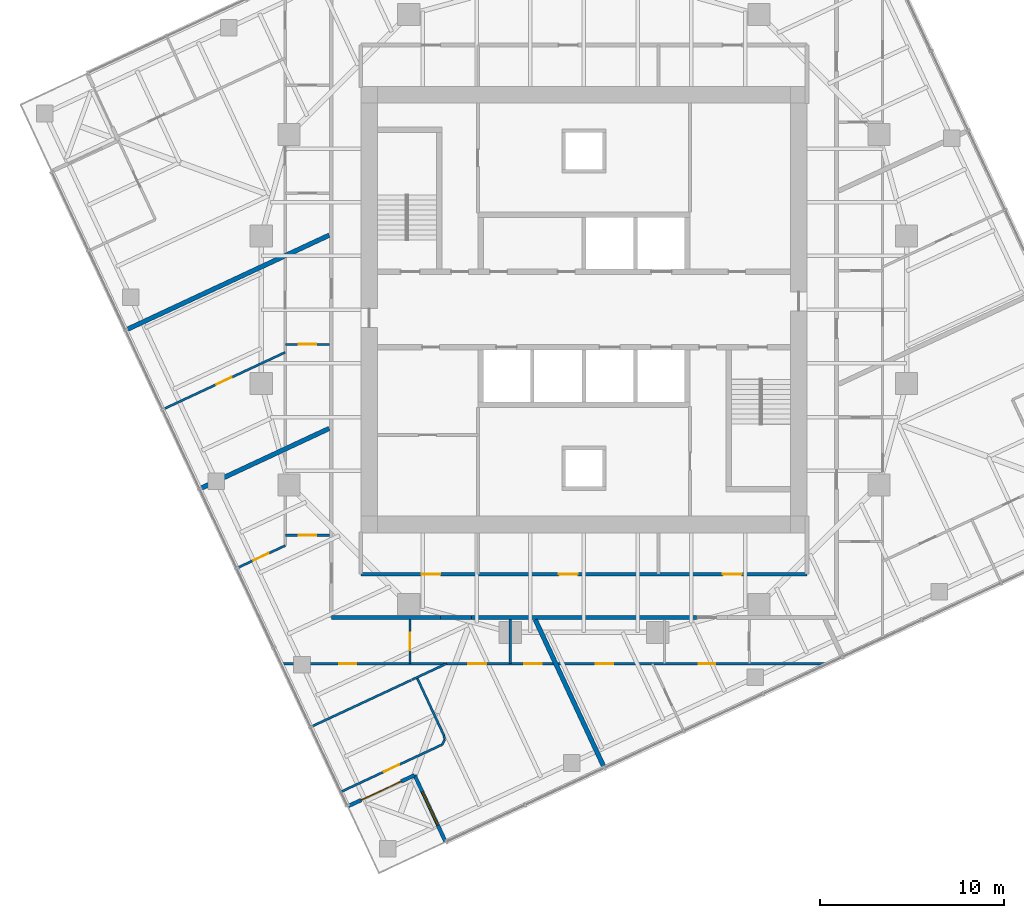
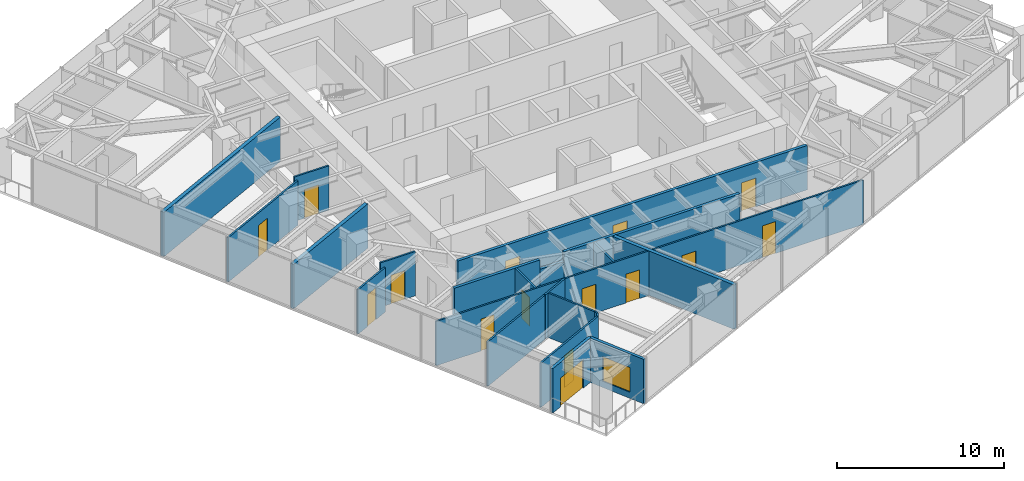
# One storey, part 7 of 12: 22 walls, 15 doors, 1 window, 16 openings.
"""IFC4 building model written with IfcOpenShell, lengths in metres."""

from ifc_helpers import new_model, si_unit, direction, frame, frame_2d, origin, place, context, subcontext, project, spatial, rectangle, extrude, material, layer, layer_set, type_object, element, fill, save


model = new_model("IFC4")

# Units and contexts
model_context = context("Model", 3, precision=1e-05, world=origin(), true_north=direction((0.0, 1.0)))
body_context = subcontext(model_context, "Body", "Model", "MODEL_VIEW")
ifc_project = project(units=[si_unit("LENGTHUNIT", "METRE"), si_unit("AREAUNIT", "SQUARE_METRE"), si_unit("VOLUMEUNIT", "CUBIC_METRE"), si_unit("PLANEANGLEUNIT", "RADIAN"), si_unit("MASSUNIT", "GRAM", prefix="KILO")], contexts=[model_context])

# Site, building, storey
site_placement = place(None, origin())
site = spatial("IfcSite", under=ifc_project, at=site_placement, CompositionType="ELEMENT")
building_placement = place(site_placement, origin())
building = spatial("IfcBuilding", under=site, at=building_placement, Name="Torsade Residences", CompositionType="ELEMENT")
storey_placement = place(building_placement, frame((0.0, 0.0, 189.60009765625)))
storey = spatial("IfcBuildingStorey", under=building, at=storey_placement, Name="L52", CompositionType="ELEMENT", Elevation=189.60009765625)

# Walls
ifc_material_1 = material(Name="Plasterboard on steel stud", Category="steel")
ifc_layer_1 = layer(ifc_material_1, 0.199951171875)
ifc_layer_set_1 = layer_set([ifc_layer_1], Name="Plasterboard on steel stud")
wall_type_1 = type_object("IfcWallType", Name="CORRIDOR WALL 200", PredefinedType="PARTITIONING", material=ifc_layer_set_1)
wall_1_placement = place(storey_placement, frame((26.300048828125, 13.300048828125, 0.0), z_axis=(0.0, 0.0, 1.0), x_axis=(1.0, 0.0, 0.0)))
element("IfcWall", 1, at=wall_1_placement, inside=storey, type_object=wall_type_1, Name="Corridor wall L52", PredefinedType="PARTITIONING", context=body_context, shape_type="SweptSolid", body=[
    extrude(rectangle(XDim=5.9248046875, YDim=0.199951171875, at=frame_2d((2.96240234375, 0.0))), origin(), (0.0, 0.0, 1.0), 3.25),
])
wall_2_placement = place(storey_placement, frame((32.224853515625, 13.300048828125, 0.0), z_axis=(0.0, 0.0, 1.0), x_axis=(1.0, 0.0, 0.0)))
element("IfcWall", 2, at=wall_2_placement, inside=storey, type_object=wall_type_1, Name="Corridor wall L52", PredefinedType="PARTITIONING", context=body_context, shape_type="SweptSolid", body=[
    extrude(rectangle(XDim=1.68359375, YDim=0.199951171875, at=frame_2d((0.841796875, 0.0))), origin(), (0.0, 0.0, 1.0), 2.5498046875),
])
wall_3_placement = place(storey_placement, frame((33.908447265625, 13.300048828125, 0.0), z_axis=(0.0, 0.0, 1.0), x_axis=(1.0, 0.0, 0.0)))
element("IfcWall", 3, at=wall_3_placement, inside=storey, type_object=wall_type_1, Name="Corridor wall L52", PredefinedType="PARTITIONING", context=body_context, shape_type="SweptSolid", body=[
    extrude(rectangle(XDim=12.18310546875, YDim=0.199951171875, at=frame_2d((6.091552734375, 0.0))), origin(), (0.0, 0.0, 1.0), 3.25),
])

# Wall, openings, doors
wall_4_placement = place(storey_placement, frame((27.89990234375, 15.64990234375, 0.0), z_axis=(0.0, 0.0, 1.0), x_axis=(1.0, 0.0, 0.0)))
wall_4 = element("IfcWall", 4, at=wall_4_placement, inside=storey, type_object=wall_type_1, Name="Corridor wall L52", PredefinedType="PARTITIONING", context=body_context, shape_type="SweptSolid", body=[
    extrude(rectangle(XDim=24.2001953125, YDim=0.199951171875, at=frame_2d((12.10009765625, 0.0))), origin(), (0.0, 0.0, 1.0), 3.25),
])
opening_1_placement = place(wall_4_placement, frame((10.742919921875, 0.0, 0.0)))
opening_1 = element("IfcOpeningElement", 5, at=opening_1_placement, cuts=wall_4, Name="Opening D03", PredefinedType="OPENING", context=body_context, shape_type="SweptSolid", body=[
    extrude(rectangle(XDim=1.02001953125, YDim=2.10009765625, at=frame_2d((0.510009765625, 1.050048828125))), frame((0.0, 0.10986328125, 0.0), z_axis=(0.0, -1.0, 0.0), x_axis=(1.0, 0.0, 0.0)), (0.0, 0.0, 1.0), 0.219970703125),
])
opening_2_placement = place(wall_4_placement, frame((19.6357421875, 0.0, 0.0)))
opening_2 = element("IfcOpeningElement", 6, at=opening_2_placement, cuts=wall_4, Name="Opening D03", PredefinedType="OPENING", context=body_context, shape_type="SweptSolid", body=[
    extrude(rectangle(XDim=1.02001953125, YDim=2.10009765625, at=frame_2d((0.510009765625, 1.050048828125))), frame((0.0, 0.10986328125, 0.0), z_axis=(0.0, -1.0, 0.0), x_axis=(1.0, 0.0, 0.0)), (0.0, 0.0, 1.0), 0.219970703125),
])
opening_3_placement = place(wall_4_placement, frame((3.29736328125, 0.0, 0.0)))
opening_3 = element("IfcOpeningElement", 7, at=opening_3_placement, cuts=wall_4, Name="Opening D03", PredefinedType="OPENING", context=body_context, shape_type="SweptSolid", body=[
    extrude(rectangle(XDim=1.02001953125, YDim=2.10009765625, at=frame_2d((0.510009765625, 1.050048828125))), frame((0.0, 0.10986328125, 0.0), z_axis=(0.0, -1.0, 0.0), x_axis=(1.0, 0.0, 0.0)), (0.0, 0.0, 1.0), 0.219970703125),
])
ifc_material_2 = material(Name="Steel-framed fire door", Category="steel")
door_type_1 = type_object("IfcDoorType", Name="FIRE DOOR 1020", OperationType="NOTDEFINED", PredefinedType="DOOR", material=ifc_material_2)
door_1_placement = place(opening_1_placement, origin())
door_1 = element("IfcDoor", 8, at=door_1_placement, inside=storey, type_object=door_type_1, Name="Door Residential corridor to Residents storage", OperationType="SINGLE_SWING_RIGHT", OverallHeight=2.10009765625, OverallWidth=1.02001953125, PredefinedType="DOOR", context=body_context, shape_type="SweptSolid", body=[
    extrude(rectangle(XDim=1.02001953125, YDim=2.10009765625, at=frame_2d((0.510009765625, 1.050048828125))), frame((0.0, 0.02490234375, 0.0), z_axis=(0.0, -1.0, 0.0), x_axis=(1.0, 0.0, 0.0)), (0.0, 0.0, 1.0), 0.050048828125),
])
fill(opening_1, door_1)
door_2_placement = place(opening_2_placement, origin())
door_2 = element("IfcDoor", 9, at=door_2_placement, inside=storey, type_object=door_type_1, Name="Door Residential corridor to Parcel room", OperationType="SINGLE_SWING_RIGHT", OverallHeight=2.10009765625, OverallWidth=1.02001953125, PredefinedType="DOOR", context=body_context, shape_type="SweptSolid", body=[
    extrude(rectangle(XDim=1.02001953125, YDim=2.10009765625, at=frame_2d((0.510009765625, 1.050048828125))), frame((0.0, 0.02490234375, 0.0), z_axis=(0.0, -1.0, 0.0), x_axis=(1.0, 0.0, 0.0)), (0.0, 0.0, 1.0), 0.050048828125),
])
fill(opening_2, door_2)
door_3_placement = place(opening_3_placement, origin())
door_3 = element("IfcDoor", 10, at=door_3_placement, inside=storey, type_object=door_type_1, Name="Door Residential corridor to Bulk store", OperationType="SINGLE_SWING_RIGHT", OverallHeight=2.10009765625, OverallWidth=1.02001953125, PredefinedType="DOOR", context=body_context, shape_type="SweptSolid", body=[
    extrude(rectangle(XDim=1.02001953125, YDim=2.10009765625, at=frame_2d((0.510009765625, 1.050048828125))), frame((0.0, 0.02490234375, 0.0), z_axis=(0.0, -1.0, 0.0), x_axis=(1.0, 0.0, 0.0)), (0.0, 0.0, 1.0), 0.050048828125),
])
fill(opening_3, door_3)

# Wall, opening, door
ifc_material_3 = material(Name="Plasterboard on steel stud", Category="steel")
ifc_layer_2 = layer(ifc_material_3, 0.1201171875)
ifc_layer_set_2 = layer_set([ifc_layer_2], Name="Plasterboard on steel stud")
wall_type_2 = type_object("IfcWallType", Name="PARTITION 120", PredefinedType="PARTITIONING", material=ifc_layer_set_2)
wall_5_placement = place(storey_placement, frame((26.199951171875, 28.1162109375, 0.0), z_axis=(0.0, 0.0, 1.0), x_axis=(-1.0, 0.0, 0.0)))
wall_5 = element("IfcWall", 11, at=wall_5_placement, inside=storey, type_object=wall_type_2, Name="Partition L52", PredefinedType="PARTITIONING", context=body_context, shape_type="SweptSolid", body=[
    extrude(rectangle(XDim=2.39990234375, YDim=0.1201171875, at=frame_2d((1.199951171875, 0.0))), origin(), (0.0, 0.0, 1.0), 3.25),
])
opening_4_placement = place(wall_5_placement, frame((0.719970703125, 0.0, 0.0)))
opening_4 = element("IfcOpeningElement", 12, at=opening_4_placement, cuts=wall_5, Name="Opening D05", PredefinedType="OPENING", context=body_context, shape_type="SweptSolid", body=[
    extrude(rectangle(XDim=0.9599609375, YDim=2.10009765625, at=frame_2d((0.47998046875, 1.050048828125))), frame((0.0, 0.070068359375, 0.0), z_axis=(0.0, -1.0, 0.0), x_axis=(1.0, 0.0, 0.0)), (0.0, 0.0, 1.0), 0.14013671875),
])
ifc_material_4 = material(Name="Hollow-core timber door in a steel cavity frame", Category="steel")
door_type_2 = type_object("IfcDoorType", Name="BATHROOM CAVITY SLIDING DOOR 960", OperationType="SLIDING_TO_LEFT", PredefinedType="DOOR", material=ifc_material_4)
door_4_placement = place(opening_4_placement, origin())
door_4 = element("IfcDoor", 13, at=door_4_placement, inside=storey, type_object=door_type_2, Name="Door Kitchen and dining to Bathroom", OperationType="SLIDING_TO_LEFT", OverallHeight=2.10009765625, OverallWidth=0.9599609375, PredefinedType="DOOR", context=body_context, shape_type="SweptSolid", body=[
    extrude(rectangle(XDim=0.9599609375, YDim=2.10009765625, at=frame_2d((0.47998046875, 1.050048828125))), frame((0.0, 0.02490234375, 0.0), z_axis=(0.0, -1.0, 0.0), x_axis=(1.0, 0.0, 0.0)), (0.0, 0.0, 1.0), 0.050048828125),
])
fill(opening_4, door_4)

wall_6_placement = place(storey_placement, frame((23.800048828125, 27.686767578125, 0.0), z_axis=(0.0, 0.0, 1.0), x_axis=(-0.906306986906, -0.422619977621, 0.0)))
wall_6 = element("IfcWall", 14, at=wall_6_placement, inside=storey, type_object=wall_type_2, Name="Partition L52", PredefinedType="PARTITIONING", context=body_context, shape_type="SweptSolid", body=[
    extrude(rectangle(XDim=7.30029296875, YDim=0.1201171875, at=frame_2d((3.650146484375, 0.0))), origin(), (0.0, 0.0, 1.0), 3.25),
])
opening_5_placement = place(wall_6_placement, frame((3.210205078125, 0.0, 0.0)))
opening_5 = element("IfcOpeningElement", 15, at=opening_5_placement, cuts=wall_6, Name="Opening D02", PredefinedType="OPENING", context=body_context, shape_type="SweptSolid", body=[
    extrude(rectangle(XDim=0.919921875, YDim=2.340087890625, at=frame_2d((0.4599609375, 1.169921875))), frame((0.0, 0.070068359375, 0.0), z_axis=(0.0, -1.0, 0.0), x_axis=(1.0, 0.0, 0.0)), (0.0, 0.0, 1.0), 0.14013671875),
])
ifc_material_5 = material(Name="Hollow-core timber door", Category="wood")
door_type_3 = type_object("IfcDoorType", Name="INTERNAL DOOR 920x2340", OperationType="NOTDEFINED", PredefinedType="DOOR", material=ifc_material_5)
door_5_placement = place(opening_5_placement, origin())
door_5 = element("IfcDoor", 16, at=door_5_placement, inside=storey, type_object=door_type_3, Name="Door Living room to Bedroom 1", OperationType="SINGLE_SWING_LEFT", OverallHeight=2.340087890625, OverallWidth=0.919921875, PredefinedType="DOOR", context=body_context, shape_type="SweptSolid", body=[
    extrude(rectangle(XDim=0.919921875, YDim=2.340087890625, at=frame_2d((0.4599609375, 1.169921875))), frame((0.0, 0.02490234375, 0.0), z_axis=(0.0, -1.0, 0.0), x_axis=(1.0, 0.0, 0.0)), (0.0, 0.0, 1.0), 0.050048828125),
])
fill(opening_5, door_5)

wall_7_placement = place(storey_placement, frame((23.800048828125, 17.7646484375, 0.0), z_axis=(0.0, 0.0, 1.0), x_axis=(1.0, 0.0, 0.0)))
wall_7 = element("IfcWall", 17, at=wall_7_placement, inside=storey, type_object=wall_type_2, Name="Partition L52", PredefinedType="PARTITIONING", context=body_context, shape_type="SweptSolid", body=[
    extrude(rectangle(XDim=2.39990234375, YDim=0.1201171875, at=frame_2d((1.199951171875, 0.0))), origin(), (0.0, 0.0, 1.0), 3.25),
])
opening_6_placement = place(wall_7_placement, frame((0.719970703125, 0.0, 0.0)))
opening_6 = element("IfcOpeningElement", 18, at=opening_6_placement, cuts=wall_7, Name="Opening D05", PredefinedType="OPENING", context=body_context, shape_type="SweptSolid", body=[
    extrude(rectangle(XDim=0.9599609375, YDim=2.10009765625, at=frame_2d((0.47998046875, 1.050048828125))), frame((0.0, 0.070068359375, 0.0), z_axis=(0.0, -1.0, 0.0), x_axis=(1.0, 0.0, 0.0)), (0.0, 0.0, 1.0), 0.14013671875),
])
door_6_placement = place(opening_6_placement, origin())
door_6 = element("IfcDoor", 19, at=door_6_placement, inside=storey, type_object=door_type_2, Name="Door Kitchen and dining to Bathroom", OperationType="SLIDING_TO_LEFT", OverallHeight=2.10009765625, OverallWidth=0.9599609375, PredefinedType="DOOR", context=body_context, shape_type="SweptSolid", body=[
    extrude(rectangle(XDim=0.9599609375, YDim=2.10009765625, at=frame_2d((0.47998046875, 1.050048828125))), frame((0.0, 0.02490234375, 0.0), z_axis=(0.0, -1.0, 0.0), x_axis=(1.0, 0.0, 0.0)), (0.0, 0.0, 1.0), 0.050048828125),
])
fill(opening_6, door_6)

wall_8_placement = place(storey_placement, frame((30.564208984375, 13.199951171875, 0.0), z_axis=(0.0, 0.0, 1.0), x_axis=(0.0, -1.0, 0.0)))
wall_8 = element("IfcWall", 20, at=wall_8_placement, inside=storey, type_object=wall_type_2, Name="Partition L52", PredefinedType="PARTITIONING", context=body_context, shape_type="SweptSolid", body=[
    extrude(rectangle(XDim=2.39990234375, YDim=0.1201171875, at=frame_2d((1.199951171875, 0.0))), origin(), (0.0, 0.0, 1.0), 3.25),
])
opening_7_placement = place(wall_8_placement, frame((0.719970703125, 0.0, 0.0)))
opening_7 = element("IfcOpeningElement", 21, at=opening_7_placement, cuts=wall_8, Name="Opening D05", PredefinedType="OPENING", context=body_context, shape_type="SweptSolid", body=[
    extrude(rectangle(XDim=0.9599609375, YDim=2.10009765625, at=frame_2d((0.47998046875, 1.050048828125))), frame((0.0, 0.070068359375, 0.0), z_axis=(0.0, -1.0, 0.0), x_axis=(1.0, 0.0, 0.0)), (0.0, 0.0, 1.0), 0.14013671875),
])
door_7_placement = place(opening_7_placement, origin())
door_7 = element("IfcDoor", 22, at=door_7_placement, inside=storey, type_object=door_type_2, Name="Door Kitchen and dining to Ensuite", OperationType="SLIDING_TO_LEFT", OverallHeight=2.10009765625, OverallWidth=0.9599609375, PredefinedType="DOOR", context=body_context, shape_type="SweptSolid", body=[
    extrude(rectangle(XDim=0.9599609375, YDim=2.10009765625, at=frame_2d((0.47998046875, 1.050048828125))), frame((0.0, 0.02490234375, 0.0), z_axis=(0.0, -1.0, 0.0), x_axis=(1.0, 0.0, 0.0)), (0.0, 0.0, 1.0), 0.050048828125),
])
fill(opening_7, door_7)

# Wall, openings, doors
wall_9_placement = place(storey_placement, frame((53.2080078125, 10.800048828125, 0.0), z_axis=(0.0, 0.0, 1.0), x_axis=(-1.0, 0.0, 0.0)))
wall_9 = element("IfcWall", 23, at=wall_9_placement, inside=storey, type_object=wall_type_2, Name="Partition L52", PredefinedType="PARTITIONING", context=body_context, shape_type="SweptSolid", body=[
    extrude(rectangle(XDim=29.592529296875, YDim=0.1201171875, at=frame_2d((14.79638671875, 0.0))), origin(), (0.0, 0.0, 1.0), 3.25),
])
opening_8_placement = place(wall_9_placement, frame((6.073974609375, 0.0, 0.0)))
opening_8 = element("IfcOpeningElement", 24, at=opening_8_placement, cuts=wall_9, Name="Opening D02", PredefinedType="OPENING", context=body_context, shape_type="SweptSolid", body=[
    extrude(rectangle(XDim=0.919921875, YDim=2.340087890625, at=frame_2d((0.4599609375, 1.169921875))), frame((0.0, 0.070068359375, 0.0), z_axis=(0.0, -1.0, 0.0), x_axis=(1.0, 0.0, 0.0)), (0.0, 0.0, 1.0), 0.14013671875),
])
opening_9_placement = place(wall_9_placement, frame((25.56591796875, 0.0, 0.0)))
opening_9 = element("IfcOpeningElement", 25, at=opening_9_placement, cuts=wall_9, Name="Opening D02", PredefinedType="OPENING", context=body_context, shape_type="SweptSolid", body=[
    extrude(rectangle(XDim=0.919921875, YDim=2.340087890625, at=frame_2d((0.4599609375, 1.169921875))), frame((0.0, 0.070068359375, 0.0), z_axis=(0.0, -1.0, 0.0), x_axis=(1.0, 0.0, 0.0)), (0.0, 0.0, 1.0), 0.14013671875),
])
opening_10_placement = place(wall_9_placement, frame((18.515380859375, 0.0, 0.0)))
opening_10 = element("IfcOpeningElement", 26, at=opening_10_placement, cuts=wall_9, Name="Opening D05", PredefinedType="OPENING", context=body_context, shape_type="SweptSolid", body=[
    extrude(rectangle(XDim=0.9599609375, YDim=2.10009765625, at=frame_2d((0.47998046875, 1.050048828125))), frame((0.0, 0.070068359375, 0.0), z_axis=(0.0, -1.0, 0.0), x_axis=(1.0, 0.0, 0.0)), (0.0, 0.0, 1.0), 0.14013671875),
])
opening_11_placement = place(wall_9_placement, frame((15.49267578125, 0.0, 0.0)))
opening_11 = element("IfcOpeningElement", 27, at=opening_11_placement, cuts=wall_9, Name="Opening D05", PredefinedType="OPENING", context=body_context, shape_type="SweptSolid", body=[
    extrude(rectangle(XDim=0.9599609375, YDim=2.10009765625, at=frame_2d((0.47998046875, 1.050048828125))), frame((0.0, 0.070068359375, 0.0), z_axis=(0.0, -1.0, 0.0), x_axis=(1.0, 0.0, 0.0)), (0.0, 0.0, 1.0), 0.14013671875),
])
opening_12_placement = place(wall_9_placement, frame((11.60888671875, 0.0, 0.0)))
opening_12 = element("IfcOpeningElement", 28, at=opening_12_placement, cuts=wall_9, Name="Opening D05", PredefinedType="OPENING", context=body_context, shape_type="SweptSolid", body=[
    extrude(rectangle(XDim=0.9599609375, YDim=2.10009765625, at=frame_2d((0.47998046875, 1.050048828125))), frame((0.0, 0.070068359375, 0.0), z_axis=(0.0, -1.0, 0.0), x_axis=(1.0, 0.0, 0.0)), (0.0, 0.0, 1.0), 0.14013671875),
])
door_8_placement = place(opening_10_placement, origin())
door_8 = element("IfcDoor", 29, at=door_8_placement, inside=storey, type_object=door_type_2, Name="Door Ensuite to Living room", OperationType="SLIDING_TO_LEFT", OverallHeight=2.10009765625, OverallWidth=0.9599609375, PredefinedType="DOOR", context=body_context, shape_type="SweptSolid", body=[
    extrude(rectangle(XDim=0.9599609375, YDim=2.10009765625, at=frame_2d((0.47998046875, 1.050048828125))), frame((0.0, 0.02490234375, 0.0), z_axis=(0.0, -1.0, 0.0), x_axis=(1.0, 0.0, 0.0)), (0.0, 0.0, 1.0), 0.050048828125),
])
fill(opening_10, door_8)
door_9_placement = place(opening_11_placement, origin())
door_9 = element("IfcDoor", 30, at=door_9_placement, inside=storey, type_object=door_type_2, Name="Door Living room to Laundry", OperationType="SLIDING_TO_LEFT", OverallHeight=2.10009765625, OverallWidth=0.9599609375, PredefinedType="DOOR", context=body_context, shape_type="SweptSolid", body=[
    extrude(rectangle(XDim=0.9599609375, YDim=2.10009765625, at=frame_2d((0.47998046875, 1.050048828125))), frame((0.0, 0.02490234375, 0.0), z_axis=(0.0, -1.0, 0.0), x_axis=(1.0, 0.0, 0.0)), (0.0, 0.0, 1.0), 0.050048828125),
])
fill(opening_11, door_9)
door_10_placement = place(opening_12_placement, origin())
door_10 = element("IfcDoor", 31, at=door_10_placement, inside=storey, type_object=door_type_2, Name="Door Living room to Bathroom", OperationType="SLIDING_TO_LEFT", OverallHeight=2.10009765625, OverallWidth=0.9599609375, PredefinedType="DOOR", context=body_context, shape_type="SweptSolid", body=[
    extrude(rectangle(XDim=0.9599609375, YDim=2.10009765625, at=frame_2d((0.47998046875, 1.050048828125))), frame((0.0, 0.02490234375, 0.0), z_axis=(0.0, -1.0, 0.0), x_axis=(1.0, 0.0, 0.0)), (0.0, 0.0, 1.0), 0.050048828125),
])
fill(opening_12, door_10)
door_11_placement = place(opening_8_placement, origin())
door_11 = element("IfcDoor", 32, at=door_11_placement, inside=storey, type_object=door_type_3, Name="Door Kitchen and dining to Bedroom 1", OperationType="SINGLE_SWING_RIGHT", OverallHeight=2.340087890625, OverallWidth=0.919921875, PredefinedType="DOOR", context=body_context, shape_type="SweptSolid", body=[
    extrude(rectangle(XDim=0.919921875, YDim=2.340087890625, at=frame_2d((0.4599609375, 1.169921875))), frame((0.0, 0.02490234375, 0.0), z_axis=(0.0, -1.0, 0.0), x_axis=(1.0, 0.0, 0.0)), (0.0, 0.0, 1.0), 0.050048828125),
])
fill(opening_8, door_11)
door_12_placement = place(opening_9_placement, origin())
door_12 = element("IfcDoor", 33, at=door_12_placement, inside=storey, type_object=door_type_3, Name="Door Kitchen and dining to Bedroom 1", OperationType="SINGLE_SWING_RIGHT", OverallHeight=2.340087890625, OverallWidth=0.919921875, PredefinedType="DOOR", context=body_context, shape_type="SweptSolid", body=[
    extrude(rectangle(XDim=0.919921875, YDim=2.340087890625, at=frame_2d((0.4599609375, 1.169921875))), frame((0.0, 0.02490234375, 0.0), z_axis=(0.0, -1.0, 0.0), x_axis=(1.0, 0.0, 0.0)), (0.0, 0.0, 1.0), 0.050048828125),
])
fill(opening_9, door_12)

# Wall, opening, door
wall_10_placement = place(storey_placement, frame((21.19873046875, 15.99169921875, 0.0), z_axis=(0.0, 0.0, 1.0), x_axis=(0.906291760669, 0.422652628697, 0.0)))
wall_10 = element("IfcWall", 34, at=wall_10_placement, inside=storey, type_object=wall_type_2, Name="Partition L52", PredefinedType="PARTITIONING", context=body_context, shape_type="SweptSolid", body=[
    extrude(rectangle(XDim=2.870361328125, YDim=0.1201171875, at=frame_2d((1.43505859375, 0.0))), origin(), (0.0, 0.0, 1.0), 3.25),
])
opening_13_placement = place(wall_10_placement, frame((0.955078125, 0.0, 0.0)))
opening_13 = element("IfcOpeningElement", 35, at=opening_13_placement, cuts=wall_10, Name="Opening D02", PredefinedType="OPENING", context=body_context, shape_type="SweptSolid", body=[
    extrude(rectangle(XDim=0.919921875, YDim=2.340087890625, at=frame_2d((0.4599609375, 1.169921875))), frame((0.0, 0.070068359375, 0.0), z_axis=(0.0, -1.0, 0.0), x_axis=(1.0, 0.0, 0.0)), (0.0, 0.0, 1.0), 0.14013671875),
])
door_13_placement = place(opening_13_placement, origin())
door_13 = element("IfcDoor", 36, at=door_13_placement, inside=storey, type_object=door_type_3, Name="Door Kitchen and dining to Bedroom 3", OperationType="SINGLE_SWING_RIGHT", OverallHeight=2.340087890625, OverallWidth=0.919921875, PredefinedType="DOOR", context=body_context, shape_type="SweptSolid", body=[
    extrude(rectangle(XDim=0.919921875, YDim=2.340087890625, at=frame_2d((0.4599609375, 1.169921875))), frame((0.0, 0.02490234375, 0.0), z_axis=(0.0, -1.0, 0.0), x_axis=(1.0, 0.0, 0.0)), (0.0, 0.0, 1.0), 0.050048828125),
])
fill(opening_13, door_13)

# Walls
wall_11_placement = place(storey_placement, frame((36.0, 13.199951171875, 0.0), z_axis=(0.0, 0.0, 1.0), x_axis=(0.0, -1.0, 0.0)))
element("IfcWall", 37, at=wall_11_placement, inside=storey, type_object=wall_type_2, Name="Partition L52", PredefinedType="PARTITIONING", context=body_context, shape_type="SweptSolid", body=[
    extrude(rectangle(XDim=2.39990234375, YDim=0.1201171875, at=frame_2d((1.199951171875, 0.0))), origin(), (0.0, 0.0, 1.0), 3.25),
])
wall_12_placement = place(storey_placement, frame((30.670654296875, 9.926513671875, 0.0), z_axis=(0.0, 0.0, 1.0), x_axis=(0.906306821634, 0.422620332048, 0.0)))
element("IfcWall", 38, at=wall_12_placement, inside=storey, type_object=wall_type_2, Name="Partition L52", PredefinedType="PARTITIONING", context=body_context, shape_type="SweptSolid", body=[
    extrude(rectangle(XDim=2.06689453125, YDim=0.1201171875, at=frame_2d((1.033447265625, 0.0))), origin(), (0.0, 0.0, 1.0), 3.25),
])

# Wall, opening, door
wall_13_placement = place(storey_placement, frame((26.853515625, 3.86474609375, 0.0), z_axis=(0.0, 0.0, 1.0), x_axis=(0.906251488513, 0.422738973325, 0.0)))
wall_13 = element("IfcWall", 39, at=wall_13_placement, inside=storey, type_object=wall_type_2, Name="Partition L52", PredefinedType="PARTITIONING", context=body_context, shape_type="SweptSolid", body=[
    extrude(rectangle(XDim=6.021728515625, YDim=0.1201171875, at=frame_2d((3.0107421875, 0.0))), origin(), (0.0, 0.0, 1.0), 3.25),
])
opening_14_placement = place(wall_13_placement, frame((2.531005859375, 0.0, 0.0)))
opening_14 = element("IfcOpeningElement", 40, at=opening_14_placement, cuts=wall_13, Name="Opening D02", PredefinedType="OPENING", context=body_context, shape_type="SweptSolid", body=[
    extrude(rectangle(XDim=0.919921875, YDim=2.340087890625, at=frame_2d((0.4599609375, 1.169921875))), frame((0.0, 0.070068359375, 0.0), z_axis=(0.0, -1.0, 0.0), x_axis=(1.0, 0.0, 0.0)), (0.0, 0.0, 1.0), 0.14013671875),
])
door_14_placement = place(opening_14_placement, origin())
door_14 = element("IfcDoor", 41, at=door_14_placement, inside=storey, type_object=door_type_3, Name="Door Living room to Bedroom 2", OperationType="SINGLE_SWING_RIGHT", OverallHeight=2.340087890625, OverallWidth=0.919921875, PredefinedType="DOOR", context=body_context, shape_type="SweptSolid", body=[
    extrude(rectangle(XDim=0.919921875, YDim=2.340087890625, at=frame_2d((0.4599609375, 1.169921875))), frame((0.0, 0.02490234375, 0.0), z_axis=(0.0, -1.0, 0.0), x_axis=(1.0, 0.0, 0.0)), (0.0, 0.0, 1.0), 0.050048828125),
])
fill(opening_14, door_14)

# Walls
wall_14_placement = place(storey_placement, frame((32.310791015625, 6.410400390625, 0.0), z_axis=(0.0, 0.0, 1.0), x_axis=(0.432992694072, 0.901397430039, 0.0)))
element("IfcWall", 42, at=wall_14_placement, inside=storey, type_object=wall_type_2, Name="Partition L52", PredefinedType="PARTITIONING", context=body_context, shape_type="SweptSolid", body=[
    extrude(rectangle(XDim=0.303466796875, YDim=0.1201171875, at=frame_2d((0.15185546875, 0.0))), origin(), (0.0, 0.0, 1.0), 3.25),
])
wall_15_placement = place(storey_placement, frame((32.442138671875, 6.683837890625, 0.0), z_axis=(0.0, 0.0, 1.0), x_axis=(-0.1412579154, 0.989972828585, 0.0)))
element("IfcWall", 43, at=wall_15_placement, inside=storey, type_object=wall_type_2, Name="Partition L52", PredefinedType="PARTITIONING", context=body_context, shape_type="SweptSolid", body=[
    extrude(rectangle(XDim=0.209228515625, YDim=0.1201171875, at=frame_2d((0.1044921875, 0.0))), origin(), (0.0, 0.0, 1.0), 3.25),
])
wall_16_placement = place(storey_placement, frame((32.41259765625, 6.890869140625, 0.0), z_axis=(0.0, 0.0, 1.0), x_axis=(-0.422628673033, 0.906302932099, 0.0)))
element("IfcWall", 44, at=wall_16_placement, inside=storey, type_object=wall_type_2, Name="Partition L52", PredefinedType="PARTITIONING", context=body_context, shape_type="SweptSolid", body=[
    extrude(rectangle(XDim=3.4873046875, YDim=0.1201171875, at=frame_2d((1.74365234375, 0.0))), origin(), (0.0, 0.0, 1.0), 3.25),
])
wall_17_placement = place(storey_placement, frame((30.62158203125, 9.903564453125, 0.0), z_axis=(0.0, 0.0, 1.0), x_axis=(-0.906317929608, -0.422596510244, 0.0)))
element("IfcWall", 45, at=wall_17_placement, inside=storey, type_object=wall_type_2, Name="Partition L52", PredefinedType="PARTITIONING", context=body_context, shape_type="SweptSolid", body=[
    extrude(rectangle(XDim=5.96728515625, YDim=0.1201171875, at=frame_2d((2.983642578125, 0.0))), origin(), (0.0, 0.0, 1.0), 3.25),
])
ifc_material_6 = material(Name="Masonry-lined stud party wall", Category="masonry")
ifc_layer_3 = layer(ifc_material_6, 0.25)
ifc_layer_set_3 = layer_set([ifc_layer_3], Name="Masonry-lined stud party wall")
wall_type_3 = type_object("IfcWallType", Name="PARTY WALL 250", PredefinedType="PARTITIONING", material=ifc_layer_set_3)
wall_18_placement = place(storey_placement, frame((41.1103515625, 5.14013671875, 0.0), z_axis=(0.0, 0.0, 1.0), x_axis=(-0.42262942879, 0.906302579672, 0.0)))
element("IfcWall", 46, at=wall_18_placement, inside=storey, type_object=wall_type_3, Name="Party wall L52", PredefinedType="PARTITIONING", context=body_context, shape_type="SweptSolid", body=[
    extrude(rectangle(XDim=8.874755859375, YDim=0.25, at=frame_2d((4.4375, 0.0))), origin(), (0.0, 0.0, 1.0), 3.25),
])
wall_19_placement = place(storey_placement, frame((19.155029296875, 20.27978515625, 0.0), z_axis=(0.0, 0.0, 1.0), x_axis=(0.906308569177, 0.422616584432, 0.0)))
element("IfcWall", 47, at=wall_19_placement, inside=storey, type_object=wall_type_3, Name="Party wall L52", PredefinedType="PARTITIONING", context=body_context, shape_type="SweptSolid", body=[
    extrude(rectangle(XDim=7.7548828125, YDim=0.25, at=frame_2d((3.87744140625, 0.0))), origin(), (0.0, 0.0, 1.0), 3.25),
])
wall_20_placement = place(storey_placement, frame((15.14013671875, 28.8896484375, 0.0), z_axis=(0.0, 0.0, 1.0), x_axis=(0.906303906082, 0.422626584374, 0.0)))
element("IfcWall", 48, at=wall_20_placement, inside=storey, type_object=wall_type_3, Name="Party wall L52", PredefinedType="PARTITIONING", context=body_context, shape_type="SweptSolid", body=[
    extrude(rectangle(XDim=12.184814453125, YDim=0.25, at=frame_2d((6.09228515625, 0.0))), origin(), (0.0, 0.0, 1.0), 3.25),
])

# Wall, opening, door
ifc_material_7 = material(Name="Stone-faced precast concrete 40 MPa panel", Category="masonry")
ifc_layer_4 = layer(ifc_material_7, 0.199951171875)
ifc_layer_set_4 = layer_set([ifc_layer_4], Name="Stone-faced precast concrete 40 MPa panel")
wall_type_4 = type_object("IfcWallType", Name="TERRACE WALL 200", PredefinedType="SOLIDWALL", material=ifc_layer_set_4)
wall_21_placement = place(storey_placement, frame((27.1845703125, 3.059814453125, 0.0), z_axis=(0.0, 0.0, 1.0), x_axis=(0.906289140828, 0.422658246362, 0.0)))
wall_21 = element("IfcWall", 49, at=wall_21_placement, inside=storey, type_object=wall_type_4, Name="Terrace wall L52 11", PredefinedType="SOLIDWALL", context=body_context, shape_type="SweptSolid", body=[
    extrude(rectangle(XDim=4.0, YDim=0.199951171875, at=frame_2d((2.0, 0.0))), origin(), (0.0, 0.0, 1.0), 3.25),
])
opening_15_placement = place(wall_21_placement, frame((0.800048828125, 0.0, 0.0)))
opening_15 = element("IfcOpeningElement", 50, at=opening_15_placement, cuts=wall_21, Name="Opening D10A", PredefinedType="OPENING", context=body_context, shape_type="SweptSolid", body=[
    extrude(rectangle(XDim=2.39990234375, YDim=2.10009765625, at=frame_2d((1.199951171875, 1.050048828125))), frame((0.0, 0.10986328125, 0.0), z_axis=(0.0, -1.0, 0.0), x_axis=(1.0, 0.0, 0.0)), (0.0, 0.0, 1.0), 0.219970703125),
])
ifc_material_8 = material(Name="Aluminium-framed glass door", Category="aluminium")
door_type_4 = type_object("IfcDoorType", Name="TERRACE SLIDING DOOR 2400x2100", OperationType="SLIDING_TO_LEFT", PredefinedType="DOOR", material=ifc_material_8)
door_15_placement = place(opening_15_placement, origin())
door_15 = element("IfcDoor", 51, at=door_15_placement, inside=storey, type_object=door_type_4, Name="Terrace door L52 11", OperationType="SLIDING_TO_LEFT", OverallHeight=2.10009765625, OverallWidth=2.39990234375, PredefinedType="DOOR", context=body_context, shape_type="SweptSolid", body=[
    extrude(rectangle(XDim=2.39990234375, YDim=2.10009765625, at=frame_2d((1.199951171875, 1.050048828125))), frame((0.0, 0.02490234375, 0.0), z_axis=(0.0, -1.0, 0.0), x_axis=(1.0, 0.0, 0.0)), (0.0, 0.0, 1.0), 0.050048828125),
])
fill(opening_15, door_15)

# Wall, opening, window
wall_22_placement = place(storey_placement, frame((30.809814453125, 4.75048828125, 0.0), z_axis=(0.0, 0.0, 1.0), x_axis=(0.422658246362, -0.906289140828, 0.0)))
wall_22 = element("IfcWall", 52, at=wall_22_placement, inside=storey, type_object=wall_type_4, Name="Terrace wall L52 12", PredefinedType="SOLIDWALL", context=body_context, shape_type="SweptSolid", body=[
    extrude(rectangle(XDim=4.0, YDim=0.199951171875, at=frame_2d((2.0, 0.0))), origin(), (0.0, 0.0, 1.0), 3.25),
])
opening_16_placement = place(wall_22_placement, frame((1.0, 0.0, 0.449951171875)))
opening_16 = element("IfcOpeningElement", 53, at=opening_16_placement, cuts=wall_22, Name="Opening W1B", PredefinedType="OPENING", context=body_context, shape_type="SweptSolid", body=[
    extrude(rectangle(XDim=2.0, YDim=1.800048828125, at=frame_2d((1.0, 0.89990234375))), frame((0.0, 0.10986328125, 0.0), z_axis=(0.0, -1.0, 0.0), x_axis=(1.0, 0.0, 0.0)), (0.0, 0.0, 1.0), 0.219970703125),
])
ifc_material_9 = material(Name="Aluminium-framed glass window", Category="aluminium")
window_type = type_object("IfcWindowType", Name="TERRACE WINDOW 2000x1800", PartitioningType="SINGLE_PANEL", PredefinedType="WINDOW", material=ifc_material_9)
window_placement = place(opening_16_placement, origin())
window = element("IfcWindow", 54, at=window_placement, inside=storey, type_object=window_type, Name="Terrace window L52 12", OverallHeight=1.800048828125, OverallWidth=2.0, PartitioningType="SINGLE_PANEL", PredefinedType="WINDOW", context=body_context, shape_type="SweptSolid", body=[
    extrude(rectangle(XDim=2.0, YDim=1.800048828125, at=frame_2d((1.0, 0.89990234375))), frame((0.0, 0.030029296875, 0.0), z_axis=(0.0, -1.0, 0.0), x_axis=(1.0, 0.0, 0.0)), (0.0, 0.0, 1.0), 0.06005859375),
])
fill(opening_16, window)

save(model, "model.ifc")
